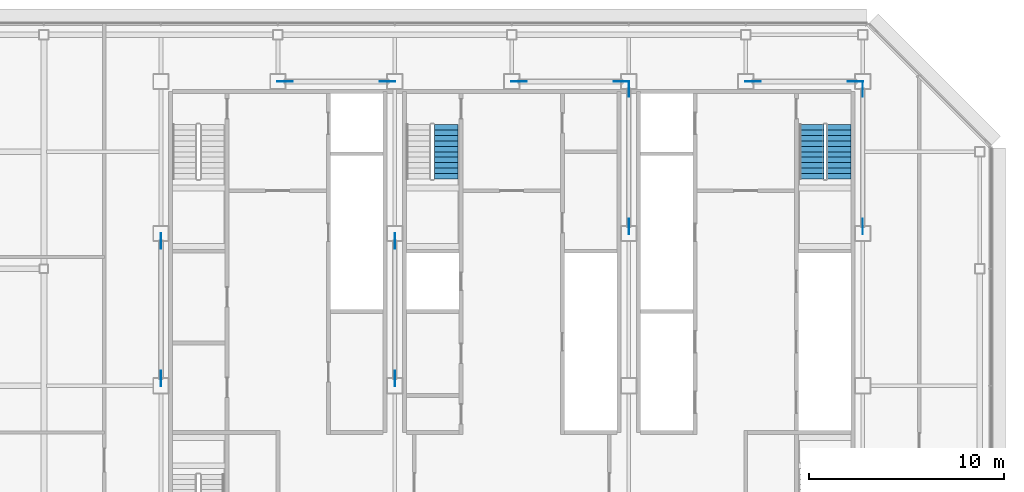
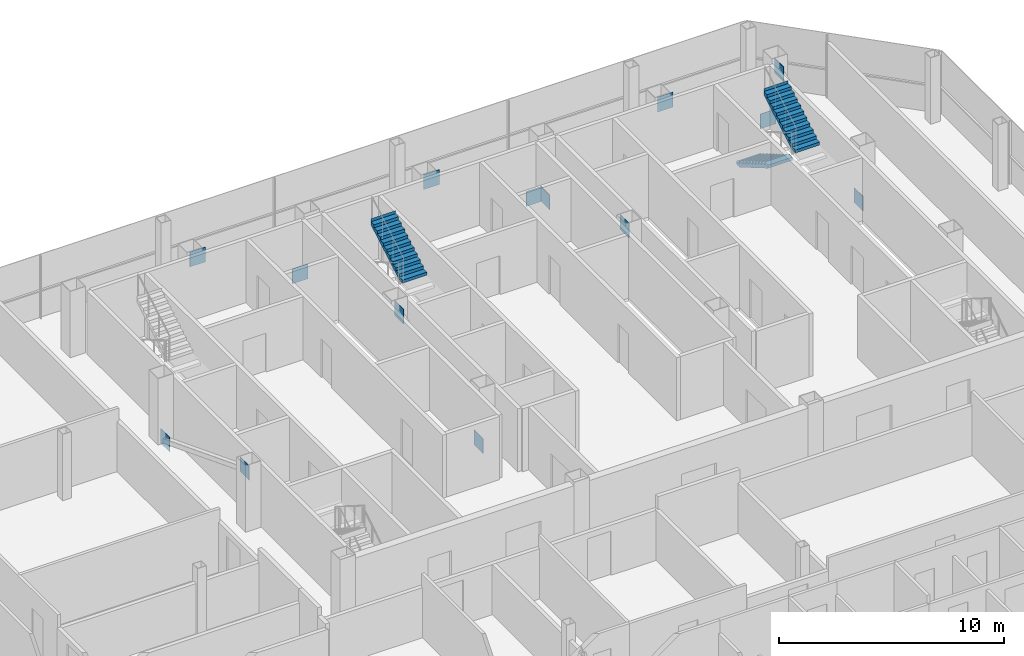
# One storey, part 26 of 28: 14 discrete accessories, 3 stair flights, 2 elements without a shape of their own.
"""IFC4 building model written with IfcOpenShell, lengths in metres."""

from ifc_helpers import new_model, si_unit, direction, frame, origin, origin_2d, place, context, subcontext, project, spatial, polyline, rectangle, outline, extrude, material, layer, layer_set, type_object, element, aggregate, save


model = new_model("IFC4")

# Units and contexts
model_context = context("Model", 3, precision=1e-05, world=origin(), true_north=direction((0.0, 1.0)))
body_context = subcontext(model_context, "Body", "Model", "MODEL_VIEW")
ifc_project = project(units=[si_unit("LENGTHUNIT", "METRE"), si_unit("AREAUNIT", "SQUARE_METRE"), si_unit("VOLUMEUNIT", "CUBIC_METRE"), si_unit("PLANEANGLEUNIT", "RADIAN"), si_unit("MASSUNIT", "GRAM", prefix="KILO")], contexts=[model_context])

# Site, building, storey
site_placement = place(None, origin())
site = spatial("IfcSite", under=ifc_project, at=site_placement, CompositionType="ELEMENT")
building_placement = place(site_placement, origin())
building = spatial("IfcBuilding", under=site, at=building_placement, Name="Sorahane Residences", CompositionType="ELEMENT")
storey_placement = place(building_placement, frame((0.0, 0.0, 308.800048828125)))
storey = spatial("IfcBuildingStorey", under=building, at=storey_placement, Name="L73", CompositionType="ELEMENT", Elevation=308.800048828125)

# Stair, stair flights
ifc_material_1 = material(Name="Concrete C40", Category="concrete")
stair_type = type_object("IfcStairType", Name="Dog-leg stair 1250 Concrete C40", PredefinedType="HALF_TURN_STAIR", material=ifc_material_1)
stair_1_placement = place(storey_placement, origin())
stair_1 = element("IfcStair", 1, at=stair_1_placement, inside=storey, type_object=stair_type, Name="L73 Stair S2", PredefinedType="HALF_TURN_STAIR")
ifc_material_2 = material(Name="Concrete C40", Category="concrete")
stair_flight_type = type_object("IfcStairFlightType", Name="Stair flight 1250 Concrete C40", PredefinedType="STRAIGHT", material=ifc_material_2)
stair_flight_1_placement = place(storey_placement, frame((39.375, 43.39990234375, 0.0), z_axis=(0.0, 0.0, 1.0), x_axis=(0.0, -1.0, 0.0)))
stair_flight_1 = element("IfcStairFlight", 2, at=stair_flight_1_placement, type_object=stair_flight_type, Name="S2 flight 1", NumberOfRisers=11, NumberOfTreads=10, PredefinedType="STRAIGHT", RiserHeight=0.163636364, TreadLength=0.28, context=body_context, shape_type="SweptSolid", body=[
    extrude(outline(polyline([(-0.00146484375, 0.0), (-0.00146484375, 0.16357421875), (0.0, 0.16357421875), (0.280029296875, 0.16357421875), (0.280029296875, 0.327392578125), (0.56005859375, 0.327392578125), (0.56005859375, 0.490966796875), (0.840087890625, 0.490966796875), (0.840087890625, 0.654541015625), (1.1201171875, 0.654541015625), (1.1201171875, 0.818115234375), (1.39990234375, 0.818115234375), (1.39990234375, 0.98193359375), (1.679931640625, 0.98193359375), (1.679931640625, 1.1455078125), (1.9599609375, 1.1455078125), (1.9599609375, 1.30908203125), (2.239990234375, 1.30908203125), (2.239990234375, 1.47265625), (2.52001953125, 1.47265625), (2.52001953125, 1.636474609375), (2.800048828125, 1.636474609375), (2.800048828125, 1.800048828125), (2.800048828125, 1.462646484375), (2.59130859375, 1.3408203125), (2.3828125, 1.218994140625), (2.17431640625, 1.09716796875), (1.965576171875, 0.97509765625), (1.757080078125, 0.853271484375), (1.548583984375, 0.7314453125), (1.340087890625, 0.609375), (1.13134765625, 0.487548828125), (0.9228515625, 0.36572265625), (0.71435546875, 0.243896484375), (0.505615234375, 0.121826171875), (0.297119140625, 0.0), (-0.00146484375, 0.0)])), frame((0.0, 0.625, 0.0), z_axis=(0.0, -1.0, 0.0), x_axis=(1.0, 0.0, 0.0)), (0.0, 0.0, 1.0), 1.25),
])
stair_flight_2_placement = place(storey_placement, frame((40.77490234375, 40.60009765625, 1.800048828125), z_axis=(0.0, 0.0, 1.0), x_axis=(0.0, 1.0, 0.0)))
stair_flight_2 = element("IfcStairFlight", 3, at=stair_flight_2_placement, type_object=stair_flight_type, Name="S2 flight 2", NumberOfRisers=11, NumberOfTreads=10, PredefinedType="STRAIGHT", RiserHeight=0.163636364, TreadLength=0.28, context=body_context, shape_type="SweptSolid", body=[
    extrude(outline(polyline([(0.0, 0.0), (0.0, 0.16357421875), (0.280029296875, 0.16357421875), (0.280029296875, 0.327392578125), (0.56005859375, 0.327392578125), (0.56005859375, 0.490966796875), (0.840087890625, 0.490966796875), (0.840087890625, 0.654541015625), (1.1201171875, 0.654541015625), (1.1201171875, 0.818115234375), (1.39990234375, 0.818115234375), (1.39990234375, 0.98193359375), (1.679931640625, 0.98193359375), (1.679931640625, 1.1455078125), (1.9599609375, 1.1455078125), (1.9599609375, 1.30908203125), (2.239990234375, 1.30908203125), (2.239990234375, 1.47265625), (2.52001953125, 1.47265625), (2.52001953125, 1.636474609375), (2.800048828125, 1.636474609375), (2.800048828125, 1.800048828125), (2.801513671875, 1.800048828125), (2.801513671875, 1.462646484375), (2.5927734375, 1.3408203125), (2.384033203125, 1.218994140625), (2.17529296875, 1.09716796875), (1.966796875, 0.97509765625), (1.758056640625, 0.853271484375), (1.54931640625, 0.7314453125), (1.340576171875, 0.609375), (1.1318359375, 0.487548828125), (0.923095703125, 0.36572265625), (0.714599609375, 0.243896484375), (0.505859375, 0.121826171875), (0.297119140625, 0.0), (0.0, 0.0)])), frame((0.0, 0.625, 0.0), z_axis=(0.0, -1.0, 0.0), x_axis=(1.0, 0.0, 0.0)), (0.0, 0.0, 1.0), 1.25),
])
aggregate(stair_1, [stair_flight_1, stair_flight_2])

# Stair, stair flight
stair_2_placement = place(storey_placement, origin())
stair_2 = element("IfcStair", 4, at=stair_2_placement, inside=storey, type_object=stair_type, Name="L73 Stair S3", PredefinedType="HALF_TURN_STAIR")
stair_flight_3_placement = place(storey_placement, frame((20.625, 40.60009765625, 1.800048828125), z_axis=(0.0, 0.0, 1.0), x_axis=(0.0, 1.0, 0.0)))
stair_flight_3 = element("IfcStairFlight", 5, at=stair_flight_3_placement, type_object=stair_flight_type, Name="S3 flight 2", NumberOfRisers=11, NumberOfTreads=10, PredefinedType="STRAIGHT", RiserHeight=0.163636364, TreadLength=0.28, context=body_context, shape_type="SweptSolid", body=[
    extrude(outline(polyline([(0.0, 0.0), (0.0, 0.16357421875), (0.280029296875, 0.16357421875), (0.280029296875, 0.327392578125), (0.56005859375, 0.327392578125), (0.56005859375, 0.490966796875), (0.840087890625, 0.490966796875), (0.840087890625, 0.654541015625), (1.1201171875, 0.654541015625), (1.1201171875, 0.818115234375), (1.39990234375, 0.818115234375), (1.39990234375, 0.98193359375), (1.679931640625, 0.98193359375), (1.679931640625, 1.1455078125), (1.9599609375, 1.1455078125), (1.9599609375, 1.30908203125), (2.239990234375, 1.30908203125), (2.239990234375, 1.47265625), (2.52001953125, 1.47265625), (2.52001953125, 1.636474609375), (2.800048828125, 1.636474609375), (2.800048828125, 1.800048828125), (2.801513671875, 1.800048828125), (2.801513671875, 1.462646484375), (2.5927734375, 1.3408203125), (2.384033203125, 1.218994140625), (2.17529296875, 1.09716796875), (1.966796875, 0.97509765625), (1.758056640625, 0.853271484375), (1.54931640625, 0.7314453125), (1.340576171875, 0.609375), (1.1318359375, 0.487548828125), (0.923095703125, 0.36572265625), (0.714599609375, 0.243896484375), (0.505859375, 0.121826171875), (0.297119140625, 0.0), (0.0, 0.0)])), frame((0.0, 0.625, 0.0), z_axis=(0.0, -1.0, 0.0), x_axis=(1.0, 0.0, 0.0)), (0.0, 0.0, 1.0), 1.25),
])
aggregate(stair_2, [stair_flight_3])

# Discrete accessories
ifc_material_3 = material(Name="Steel Q355B", Category="steel")
ifc_layer = layer(ifc_material_3, 0.02490234375)
ifc_layer_set = layer_set([ifc_layer], Name="Node plate Steel Q355B 25")
discrete_accessory_type = type_object("IfcDiscreteAccessoryType", Name="Node plate Steel Q355B 25", PredefinedType="BRACKET", material=ifc_layer_set)
for number, where, z_axis, x_axis, name in (
    (6, (6.0, 37.42724609375, -0.28564453125), (0.0, 0.0, 1.0), (0.0, 1.0, 0.0), "Node plate L73 br"),
    (7, (6.0, 30.372802734375, 2.45556640625), (0.0, 0.0, 1.0), (0.0, 1.0, 0.0), "Node plate L73 br"),
    (8, (18.0, 30.372802734375, -0.28564453125), (0.0, 0.0, 1.0), (0.0, 1.0, 0.0), "Node plate L73 br"),
    (9, (18.0, 37.42724609375, 2.45556640625), (0.0, 0.0, 1.0), (0.0, 1.0, 0.0), "Node plate L73 br"),
    (10, (30.0, 45.227294921875, -0.28564453125), (0.0, 0.0, 1.0), (0.0, 1.0, 0.0), "Node plate L73 br"),
    (11, (30.0, 38.1728515625, 2.45556640625), (0.0, 0.0, 1.0), (0.0, 1.0, 0.0), "Node plate L73 br"),
    (12, (42.0, 38.1728515625, -0.28564453125), (0.0, 0.0, 1.0), (0.0, 1.0, 0.0), "Node plate L73 br"),
    (13, (42.0, 45.227294921875, 2.45556640625), (0.0, 0.0, 1.0), (0.0, 1.0, 0.0), "Node plate L73 br"),
    (14, (17.634765625, 45.60009765625, -0.29345703125), (0.0, 0.0, 1.0), (1.0, 0.0, 0.0), "Node plate L73 br"),
    (15, (29.634765625, 45.60009765625, -0.29345703125), (0.0, 0.0, 1.0), (1.0, 0.0, 0.0), "Node plate L73 br"),
    (16, (41.634765625, 45.60009765625, -0.29345703125), (0.0, 0.0, 1.0), (1.0, 0.0, 0.0), "Node plate L73 br"),
    (17, (12.365234375, 45.60009765625, 2.462890625), (0.0, 0.0, 1.0), (1.0, 0.0, 0.0), "Node plate L73 br"),
    (18, (24.365234375, 45.60009765625, 2.462890625), (0.0, 0.0, 1.0), (1.0, 0.0, 0.0), "Node plate L73 br"),
    (19, (36.365234375, 45.60009765625, 2.462890625), (0.0, 0.0, 1.0), (1.0, 0.0, 0.0), "Node plate L73 br"),
):
    element("IfcDiscreteAccessory", number, at=place(storey_placement, frame(where, z_axis=z_axis, x_axis=x_axis)), inside=storey, type_object=discrete_accessory_type, Name=name, PredefinedType="BRACKET", context=body_context, shape_type="SweptSolid", body=[
        extrude(rectangle(XDim=0.800048828125, YDim=0.02490234375, at=origin_2d()), origin(), (0.0, 0.0, 1.0), 0.800048828125),
    ])

save(model, "model.ifc")
